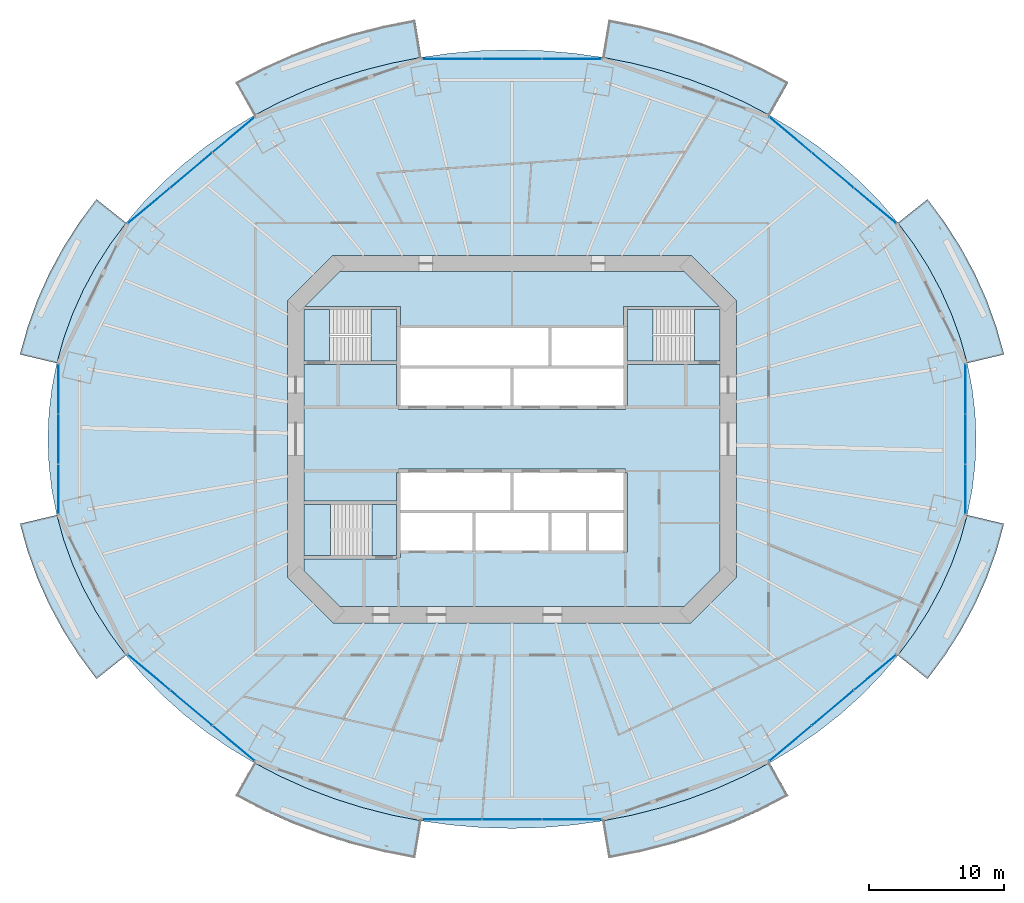
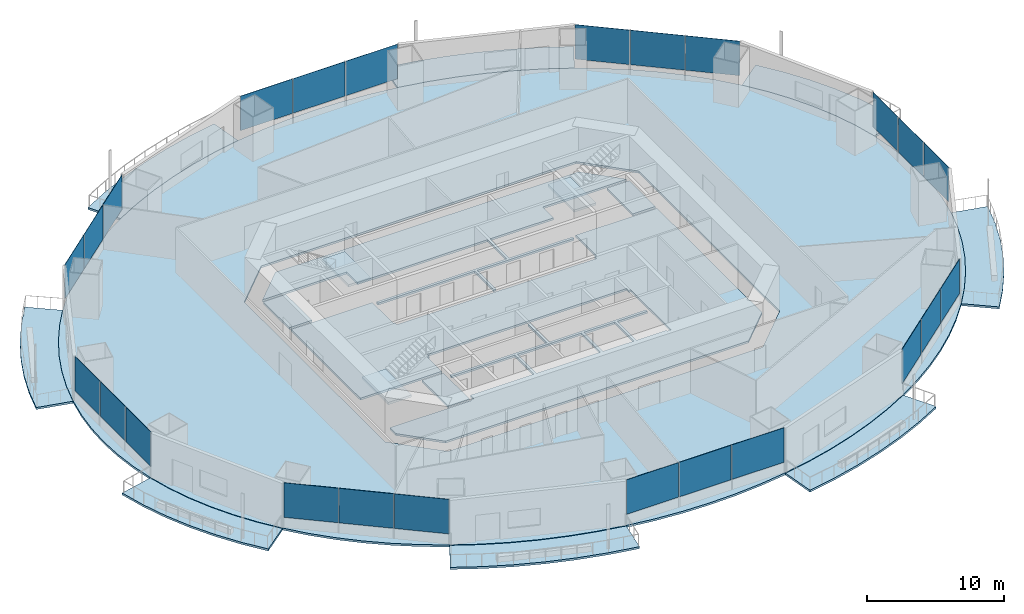
# One storey, part 12 of 22: 24 plates, 17 slabs, 11 elements without a shape of their own.
"""IFC4 building model written with IfcOpenShell, lengths in metres."""

from ifc_helpers import new_model, si_unit, direction, frame, origin, origin_2d, place, context, subcontext, project, spatial, polyline, rectangle, outline, extrude, material, layer, layer_set, type_object, element, aggregate, save


model = new_model("IFC4")

# Units and contexts
model_context = context("Model", 3, precision=1e-05, world=origin(), true_north=direction((0.0, 1.0)))
body_context = subcontext(model_context, "Body", "Model", "MODEL_VIEW")
ifc_project = project(units=[si_unit("LENGTHUNIT", "METRE"), si_unit("AREAUNIT", "SQUARE_METRE"), si_unit("VOLUMEUNIT", "CUBIC_METRE"), si_unit("PLANEANGLEUNIT", "RADIAN"), si_unit("MASSUNIT", "GRAM", prefix="KILO")], contexts=[model_context])

# Site, building, storey
site_placement = place(None, origin())
site = spatial("IfcSite", under=ifc_project, at=site_placement, CompositionType="ELEMENT")
building_placement = place(site_placement, origin())
building = spatial("IfcBuilding", under=site, at=building_placement, Name="Marenthal Gate Tower", CompositionType="ELEMENT")
storey_placement = place(building_placement, frame((0.0, 0.0, 111.85009765625)))
storey = spatial("IfcBuildingStorey", under=building, at=storey_placement, Name="L23", CompositionType="ELEMENT", Elevation=111.85009765625)

# Slabs
ifc_material_1 = material(Name="Concrete 40 MPa", Category="concrete")
ifc_layer_1 = layer(ifc_material_1, 0.179931640625)
ifc_layer_set_1 = layer_set([ifc_layer_1], Name="Balcony deck 180")
slab_type_1 = type_object("IfcSlabType", Name="Balcony deck 180", PredefinedType="USERDEFINED", material=ifc_layer_set_1)
slab_1_placement = place(storey_placement, frame((0.0, 0.0, -0.22021484375)))
element("IfcSlab", 1, at=slab_1_placement, inside=storey, type_object=slab_type_1, Name="Balcony deck L23 bay 1", ObjectType="BALCONY", PredefinedType="USERDEFINED", context=body_context, shape_type="SweptSolid", body=[
    extrude(outline(polyline([(33.68603515625, 5.6201171875), (33.17578125, 7.4560546875), (32.523193359375, 9.260009765625), (31.731689453125, 11.0244140625), (30.803955078125, 12.741455078125), (29.744384765625, 14.404052734375), (28.5576171875, 16.0048828125), (30.747802734375, 17.74951171875), (32.051025390625, 15.99169921875), (33.2177734375, 14.16064453125), (34.2421875, 12.26416015625), (35.118896484375, 10.310302734375), (35.843017578125, 8.30810546875), (36.41064453125, 6.266357421875), (33.68603515625, 5.6201171875)])), origin(), (0.0, 0.0, 1.0), 0.18017578125),
])
slab_2_placement = place(storey_placement, frame((0.0, 0.0, -0.22021484375)))
element("IfcSlab", 2, at=slab_2_placement, inside=storey, type_object=slab_type_1, Name="Balcony deck L23 bay 3", ObjectType="BALCONY", PredefinedType="USERDEFINED", context=body_context, shape_type="SweptSolid", body=[
    extrude(outline(polyline([(19.08154296875, 23.952880859375), (17.173095703125, 24.948486328125), (15.19091796875, 25.837158203125), (13.1435546875, 26.614990234375), (11.040283203125, 27.279296875), (8.889404296875, 27.826416015625), (6.70068359375, 28.25439453125), (7.161376953125, 31.016357421875), (9.50341796875, 30.558349609375), (11.806884765625, 29.97216796875), (14.0625, 29.260009765625), (16.260986328125, 28.424560546875), (18.393310546875, 27.468505859375), (20.450439453125, 26.3955078125), (19.08154296875, 23.952880859375)])), origin(), (0.0, 0.0, 1.0), 0.18017578125),
])
slab_3_placement = place(storey_placement, frame((0.0, 0.0, -0.22021484375)))
element("IfcSlab", 3, at=slab_3_placement, inside=storey, type_object=slab_type_1, Name="Balcony deck L23 bay 5", ObjectType="BALCONY", PredefinedType="USERDEFINED", context=body_context, shape_type="SweptSolid", body=[
    extrude(outline(polyline([(-6.70068359375, 28.25439453125), (-8.889404296875, 27.826416015625), (-11.040283203125, 27.279296875), (-13.1435546875, 26.614990234375), (-15.19091796875, 25.837158203125), (-17.173095703125, 24.948486328125), (-19.08154296875, 23.952880859375), (-20.450439453125, 26.3955078125), (-18.393310546875, 27.468505859375), (-16.260986328125, 28.424560546875), (-14.0625, 29.260009765625), (-11.806884765625, 29.97216796875), (-9.50341796875, 30.558349609375), (-7.161376953125, 31.016357421875), (-6.70068359375, 28.25439453125)])), origin(), (0.0, 0.0, 1.0), 0.18017578125),
])
slab_4_placement = place(storey_placement, frame((0.0, 0.0, -0.22021484375)))
element("IfcSlab", 4, at=slab_4_placement, inside=storey, type_object=slab_type_1, Name="Balcony deck L23 bay 7", ObjectType="BALCONY", PredefinedType="USERDEFINED", context=body_context, shape_type="SweptSolid", body=[
    extrude(outline(polyline([(-28.5576171875, 16.0048828125), (-29.744384765625, 14.404052734375), (-30.803955078125, 12.741455078125), (-31.731689453125, 11.0244140625), (-32.523193359375, 9.260009765625), (-33.17578125, 7.4560546875), (-33.68603515625, 5.6201171875), (-36.41064453125, 6.266357421875), (-35.843017578125, 8.30810546875), (-35.118896484375, 10.310302734375), (-34.2421875, 12.26416015625), (-33.2177734375, 14.16064453125), (-32.051025390625, 15.99169921875), (-30.747802734375, 17.74951171875), (-28.5576171875, 16.0048828125)])), origin(), (0.0, 0.0, 1.0), 0.18017578125),
])
slab_5_placement = place(storey_placement, frame((0.0, 0.0, -0.22021484375)))
element("IfcSlab", 5, at=slab_5_placement, inside=storey, type_object=slab_type_1, Name="Balcony deck L23 bay 9", ObjectType="BALCONY", PredefinedType="USERDEFINED", context=body_context, shape_type="SweptSolid", body=[
    extrude(outline(polyline([(-33.68603515625, -5.6201171875), (-33.17578125, -7.4560546875), (-32.523193359375, -9.260009765625), (-31.731689453125, -11.0244140625), (-30.803955078125, -12.741455078125), (-29.744384765625, -14.404052734375), (-28.5576171875, -16.0048828125), (-30.747802734375, -17.74951171875), (-32.051025390625, -15.99169921875), (-33.2177734375, -14.16064453125), (-34.2421875, -12.26416015625), (-35.118896484375, -10.310302734375), (-35.843017578125, -8.30810546875), (-36.41064453125, -6.266357421875), (-33.68603515625, -5.6201171875)])), origin(), (0.0, 0.0, 1.0), 0.18017578125),
])
slab_6_placement = place(storey_placement, frame((0.0, 0.0, -0.22021484375)))
element("IfcSlab", 6, at=slab_6_placement, inside=storey, type_object=slab_type_1, Name="Balcony deck L23 bay 11", ObjectType="BALCONY", PredefinedType="USERDEFINED", context=body_context, shape_type="SweptSolid", body=[
    extrude(outline(polyline([(-19.08154296875, -23.952880859375), (-17.173095703125, -24.948486328125), (-15.19091796875, -25.837158203125), (-13.1435546875, -26.614990234375), (-11.040283203125, -27.279296875), (-8.889404296875, -27.826416015625), (-6.70068359375, -28.25439453125), (-7.161376953125, -31.016357421875), (-9.50341796875, -30.558349609375), (-11.806884765625, -29.97216796875), (-14.0625, -29.260009765625), (-16.260986328125, -28.424560546875), (-18.393310546875, -27.468505859375), (-20.450439453125, -26.3955078125), (-19.08154296875, -23.952880859375)])), origin(), (0.0, 0.0, 1.0), 0.18017578125),
])
slab_7_placement = place(storey_placement, frame((0.0, 0.0, -0.22021484375)))
element("IfcSlab", 7, at=slab_7_placement, inside=storey, type_object=slab_type_1, Name="Balcony deck L23 bay 13", ObjectType="BALCONY", PredefinedType="USERDEFINED", context=body_context, shape_type="SweptSolid", body=[
    extrude(outline(polyline([(6.70068359375, -28.25439453125), (8.889404296875, -27.826416015625), (11.040283203125, -27.279296875), (13.1435546875, -26.614990234375), (15.19091796875, -25.837158203125), (17.173095703125, -24.948486328125), (19.08154296875, -23.952880859375), (20.450439453125, -26.3955078125), (18.393310546875, -27.468505859375), (16.260986328125, -28.424560546875), (14.0625, -29.260009765625), (11.806884765625, -29.97216796875), (9.50341796875, -30.558349609375), (7.161376953125, -31.016357421875), (6.70068359375, -28.25439453125)])), origin(), (0.0, 0.0, 1.0), 0.18017578125),
])
slab_8_placement = place(storey_placement, frame((0.0, 0.0, -0.22021484375)))
element("IfcSlab", 8, at=slab_8_placement, inside=storey, type_object=slab_type_1, Name="Balcony deck L23 bay 15", ObjectType="BALCONY", PredefinedType="USERDEFINED", context=body_context, shape_type="SweptSolid", body=[
    extrude(outline(polyline([(28.5576171875, -16.0048828125), (29.744384765625, -14.404052734375), (30.803955078125, -12.741455078125), (31.731689453125, -11.0244140625), (32.523193359375, -9.260009765625), (33.17578125, -7.4560546875), (33.68603515625, -5.6201171875), (36.41064453125, -6.266357421875), (35.843017578125, -8.30810546875), (35.118896484375, -10.310302734375), (34.2421875, -12.26416015625), (33.2177734375, -14.16064453125), (32.051025390625, -15.99169921875), (30.747802734375, -17.74951171875), (28.5576171875, -16.0048828125)])), origin(), (0.0, 0.0, 1.0), 0.18017578125),
])
ifc_material_2 = material(Name="Concrete 50 MPa", Category="concrete")
ifc_layer_2 = layer(ifc_material_2, 0.179931640625)
ifc_layer_set_2 = layer_set([ifc_layer_2], Name="Core floor slab 180")
slab_type_2 = type_object("IfcSlabType", Name="Core floor slab 180", PredefinedType="FLOOR", material=ifc_layer_set_2)
slab_9_placement = place(storey_placement, frame((0.0, 0.0, -0.18017578125)))
element("IfcSlab", 9, at=slab_9_placement, inside=storey, type_object=slab_type_2, Name="Core floor L23", PredefinedType="FLOOR", context=body_context, shape_type="SweptSolid", body=[
    extrude(outline(polyline([(15.39990234375, -9.75146484375), (12.75146484375, -12.39990234375), (-12.75146484375, -12.39990234375), (-15.39990234375, -9.75146484375), (-15.39990234375, -8.875), (-8.550048828125, -8.875), (-8.550048828125, -8.75), (-8.25, -8.75), (-8.25, -8.239990234375), (-5.60009765625, -8.239990234375), (-2.909912109375, -8.239990234375), (-2.909912109375, -5.4599609375), (-5.60009765625, -5.4599609375), (-8.25, -5.4599609375), (-8.25, -5.239990234375), (-5.60009765625, -5.239990234375), (-2.800048828125, -5.239990234375), (-0.110107421875, -5.239990234375), (-0.110107421875, -2.5), (0.110107421875, -2.5), (0.110107421875, -5.239990234375), (2.800048828125, -5.239990234375), (5.60009765625, -5.239990234375), (8.25, -5.239990234375), (8.25, -5.4599609375), (5.7099609375, -5.4599609375), (5.7099609375, -8.239990234375), (8.25, -8.239990234375), (8.25, -8.35009765625), (8.550048828125, -8.35009765625), (8.550048828125, -2.5), (8.39990234375, -2.5), (8.39990234375, -2.199951171875), (-8.39990234375, -2.199951171875), (-8.39990234375, -2.5), (-8.550048828125, -2.5), (-8.550048828125, -4.574951171875), (-15.39990234375, -4.574951171875), (-15.39990234375, 5.52490234375), (-8.550048828125, 5.52490234375), (-8.550048828125, 2.5), (-8.39990234375, 2.5), (-8.39990234375, 2.199951171875), (8.39990234375, 2.199951171875), (8.39990234375, 2.5), (8.550048828125, 2.5), (8.550048828125, 5.52490234375), (15.39990234375, 5.52490234375), (15.39990234375, -9.75146484375)]), holes=[polyline([(2.68994140625, -5.4599609375), (0.0, -5.4599609375), (-2.68994140625, -5.4599609375), (-2.68994140625, -8.239990234375), (0.0, -8.239990234375), (2.68994140625, -8.239990234375), (2.68994140625, -5.4599609375)]), polyline([(5.489990234375, -5.4599609375), (2.909912109375, -5.4599609375), (2.909912109375, -8.239990234375), (5.489990234375, -8.239990234375), (5.489990234375, -5.4599609375)])]), origin(), (0.0, 0.0, 1.0), 0.18017578125),
])
slab_10_placement = place(storey_placement, frame((0.0, 0.0, -0.18017578125)))
element("IfcSlab", 10, at=slab_10_placement, inside=storey, type_object=slab_type_2, Name="Core floor L23", PredefinedType="FLOOR", context=body_context, shape_type="SweptSolid", body=[
    extrude(outline(polyline([(15.39990234375, 5.77490234375), (13.5, 5.77490234375), (13.5, 9.574951171875), (15.39990234375, 9.574951171875), (15.39990234375, 5.77490234375)])), origin(), (0.0, 0.0, 1.0), 0.18017578125),
])
slab_11_placement = place(storey_placement, frame((0.0, 0.0, -0.18017578125)))
element("IfcSlab", 11, at=slab_11_placement, inside=storey, type_object=slab_type_2, Name="Core floor L23", PredefinedType="FLOOR", context=body_context, shape_type="SweptSolid", body=[
    extrude(outline(polyline([(12.75146484375, 12.39990234375), (15.326416015625, 9.824951171875), (8.550048828125, 9.824951171875), (8.25, 9.824951171875), (8.25, 8.35009765625), (8.25, 8.239990234375), (5.60009765625, 8.239990234375), (2.909912109375, 8.239990234375), (2.909912109375, 5.4599609375), (5.60009765625, 5.4599609375), (8.25, 5.4599609375), (8.25, 5.239990234375), (5.60009765625, 5.239990234375), (2.800048828125, 5.239990234375), (0.110107421875, 5.239990234375), (0.110107421875, 2.5), (-0.110107421875, 2.5), (-0.110107421875, 5.239990234375), (-2.800048828125, 5.239990234375), (-5.60009765625, 5.239990234375), (-8.25, 5.239990234375), (-8.25, 5.4599609375), (-5.60009765625, 5.4599609375), (-2.800048828125, 5.4599609375), (0.0, 5.4599609375), (2.68994140625, 5.4599609375), (2.68994140625, 8.239990234375), (0.0, 8.239990234375), (-2.800048828125, 8.239990234375), (-5.60009765625, 8.239990234375), (-8.25, 8.239990234375), (-8.25, 8.35009765625), (-8.25, 9.824951171875), (-8.550048828125, 9.824951171875), (-15.326416015625, 9.824951171875), (-12.75146484375, 12.39990234375), (12.75146484375, 12.39990234375)])), origin(), (0.0, 0.0, 1.0), 0.18017578125),
])
slab_12_placement = place(storey_placement, frame((0.0, 0.0, -0.18017578125)))
element("IfcSlab", 12, at=slab_12_placement, inside=storey, type_object=slab_type_2, Name="Core floor L23", PredefinedType="FLOOR", context=body_context, shape_type="SweptSolid", body=[
    extrude(outline(polyline([(-15.39990234375, 9.574951171875), (-13.5, 9.574951171875), (-13.5, 5.77490234375), (-15.39990234375, 5.77490234375), (-15.39990234375, 9.574951171875)])), origin(), (0.0, 0.0, 1.0), 0.18017578125),
])
slab_13_placement = place(storey_placement, frame((0.0, 0.0, -0.18017578125)))
element("IfcSlab", 13, at=slab_13_placement, inside=storey, type_object=slab_type_2, Name="Core floor L23", PredefinedType="FLOOR", context=body_context, shape_type="SweptSolid", body=[
    extrude(outline(polyline([(-8.550048828125, -8.625), (-10.35009765625, -8.625), (-10.35009765625, -4.824951171875), (-8.550048828125, -4.824951171875), (-8.550048828125, -8.625)])), origin(), (0.0, 0.0, 1.0), 0.18017578125),
])
ifc_material_3 = material(Name="Concrete 35 MPa", Category="concrete")
ifc_layer_3 = layer(ifc_material_3, 0.179931640625)
ifc_layer_set_3 = layer_set([ifc_layer_3], Name="Floor slab 180")
slab_type_3 = type_object("IfcSlabType", Name="Floor slab 180", PredefinedType="FLOOR", material=ifc_layer_set_3)
slab_14_placement = place(storey_placement, frame((0.0, 0.0, -0.18017578125)))
element("IfcSlab", 14, at=slab_14_placement, inside=storey, type_object=slab_type_3, Name="SL-L23-01", PredefinedType="FLOOR", context=body_context, shape_type="SweptSolid", body=[
    extrude(outline(polyline([(34.345947265625, 0.0), (34.2724609375, 1.884033203125), (34.05224609375, 3.76025390625), (33.68603515625, 5.6201171875), (33.17578125, 7.4560546875), (32.523193359375, 9.260009765625), (31.731689453125, 11.0244140625), (30.803955078125, 12.741455078125), (29.744384765625, 14.404052734375), (28.5576171875, 16.0048828125), (27.24853515625, 17.537109375), (25.82275390625, 18.994384765625), (24.286376953125, 20.370361328125), (22.64599609375, 21.658935546875), (20.908447265625, 22.85498046875), (19.08154296875, 23.952880859375), (17.173095703125, 24.948486328125), (15.19091796875, 25.837158203125), (13.1435546875, 26.614990234375), (11.040283203125, 27.279296875), (8.889404296875, 27.826416015625), (6.70068359375, 28.25439453125), (4.483154296875, 28.5615234375), (2.246337890625, 28.746337890625), (0.0, 28.80810546875), (-2.246337890625, 28.746337890625), (-4.483154296875, 28.5615234375), (-6.70068359375, 28.25439453125), (-8.889404296875, 27.826416015625), (-11.040283203125, 27.279296875), (-13.1435546875, 26.614990234375), (-15.19091796875, 25.837158203125), (-17.173095703125, 24.948486328125), (-19.08154296875, 23.952880859375), (-20.908447265625, 22.85498046875), (-22.64599609375, 21.658935546875), (-24.286376953125, 20.370361328125), (-25.82275390625, 18.994384765625), (-27.24853515625, 17.537109375), (-28.5576171875, 16.0048828125), (-29.744384765625, 14.404052734375), (-30.803955078125, 12.741455078125), (-31.731689453125, 11.0244140625), (-32.523193359375, 9.260009765625), (-33.17578125, 7.4560546875), (-33.68603515625, 5.6201171875), (-34.05224609375, 3.76025390625), (-34.2724609375, 1.884033203125), (-34.345947265625, 0.0), (-34.2724609375, -1.884033203125), (-34.05224609375, -3.76025390625), (-33.68603515625, -5.6201171875), (-33.17578125, -7.4560546875), (-32.523193359375, -9.260009765625), (-31.731689453125, -11.0244140625), (-30.803955078125, -12.741455078125), (-29.744384765625, -14.404052734375), (-28.5576171875, -16.0048828125), (-27.24853515625, -17.537109375), (-25.82275390625, -18.994384765625), (-24.286376953125, -20.370361328125), (-22.64599609375, -21.658935546875), (-20.908447265625, -22.85498046875), (-19.08154296875, -23.952880859375), (-17.173095703125, -24.948486328125), (-15.19091796875, -25.837158203125), (-13.1435546875, -26.614990234375), (-11.040283203125, -27.279296875), (-8.889404296875, -27.826416015625), (-6.70068359375, -28.25439453125), (-4.483154296875, -28.5615234375), (-2.246337890625, -28.746337890625), (0.0, -28.80810546875), (2.246337890625, -28.746337890625), (4.483154296875, -28.5615234375), (6.70068359375, -28.25439453125), (8.889404296875, -27.826416015625), (11.040283203125, -27.279296875), (13.1435546875, -26.614990234375), (15.19091796875, -25.837158203125), (17.173095703125, -24.948486328125), (19.08154296875, -23.952880859375), (20.908447265625, -22.85498046875), (22.64599609375, -21.658935546875), (24.286376953125, -20.370361328125), (25.82275390625, -18.994384765625), (27.24853515625, -17.537109375), (28.5576171875, -16.0048828125), (29.744384765625, -14.404052734375), (30.803955078125, -12.741455078125), (31.731689453125, -11.0244140625), (32.523193359375, -9.260009765625), (33.17578125, -7.4560546875), (33.68603515625, -5.6201171875), (34.05224609375, -3.76025390625), (34.2724609375, -1.884033203125), (34.345947265625, 0.0)]), holes=[polyline([(13.24853515625, -13.60009765625), (16.60009765625, -10.24853515625), (16.60009765625, 10.24853515625), (13.24853515625, 13.60009765625), (-13.24853515625, 13.60009765625), (-16.60009765625, 10.24853515625), (-16.60009765625, -10.24853515625), (-13.24853515625, -13.60009765625), (13.24853515625, -13.60009765625)])]), origin(), (0.0, 0.0, 1.0), 0.18017578125),
])

# Curtain wall, plates
ifc_material_4 = material(Name="Aluminium and glass", Category="aluminium")
curtain_wall_type = type_object("IfcCurtainWallType", Name="Curtain wall typical low", PredefinedType="NOTDEFINED", material=ifc_material_4)
curtain_wall_1_placement = place(storey_placement, origin())
curtain_wall_1 = element("IfcCurtainWall", 15, at=curtain_wall_1_placement, inside=storey, type_object=curtain_wall_type, Name="Curtain wall L23 bay 2", PredefinedType="NOTDEFINED")
ifc_material_5 = material(Name="Glass, laminated insulating unit", Category="glass")
ifc_layer_4 = layer(ifc_material_5, 0.030029296875)
ifc_layer_set_4 = layer_set([ifc_layer_4], Name="Glass panel 30 typical low")
plate_type = type_object("IfcPlateType", Name="Glass panel 30 typical low", PredefinedType="CURTAIN_PANEL", material=ifc_layer_set_4)
plate_1_placement = place(storey_placement, frame((26.86865234375, 17.270263671875, 0.89990234375), z_axis=(0.0, 0.0, 1.0), x_axis=(-0.766388728972, 0.642377082487, 0.0)))
plate_1 = element("IfcPlate", 16, at=plate_1_placement, type_object=plate_type, Name="Glass panel L23 bay 2.1", PredefinedType="CURTAIN_PANEL", context=body_context, shape_type="SweptSolid", body=[
    extrude(rectangle(XDim=4.027099609375, YDim=0.030029296875, at=origin_2d()), origin(), (0.0, 0.0, 1.0), 3.070068359375),
])
plate_2_placement = place(storey_placement, frame((23.736328125, 19.895751953125, 0.89990234375), z_axis=(0.0, 0.0, 1.0), x_axis=(-0.766388728972, 0.642377082487, 0.0)))
plate_2 = element("IfcPlate", 17, at=plate_2_placement, type_object=plate_type, Name="Glass panel L23 bay 2.2", PredefinedType="CURTAIN_PANEL", context=body_context, shape_type="SweptSolid", body=[
    extrude(rectangle(XDim=4.027099609375, YDim=0.030029296875, at=origin_2d()), origin(), (0.0, 0.0, 1.0), 3.070068359375),
])
plate_3_placement = place(storey_placement, frame((20.60400390625, 22.521240234375, 0.89990234375), z_axis=(0.0, 0.0, 1.0), x_axis=(-0.766388728972, 0.642377082487, 0.0)))
plate_3 = element("IfcPlate", 18, at=plate_3_placement, type_object=plate_type, Name="Glass panel L23 bay 2.3", PredefinedType="CURTAIN_PANEL", context=body_context, shape_type="SweptSolid", body=[
    extrude(rectangle(XDim=4.027099609375, YDim=0.030029296875, at=origin_2d()), origin(), (0.0, 0.0, 1.0), 3.070068359375),
])
aggregate(curtain_wall_1, [plate_1, plate_2, plate_3])

curtain_wall_2_placement = place(storey_placement, origin())
curtain_wall_2 = element("IfcCurtainWall", 19, at=curtain_wall_2_placement, inside=storey, type_object=curtain_wall_type, Name="Curtain wall L23 bay 4", PredefinedType="NOTDEFINED")
plate_4_placement = place(storey_placement, frame((4.431396484375, 28.13671875, 0.89990234375), z_axis=(0.0, 0.0, 1.0), x_axis=(-1.0, 0.0, 0.0)))
plate_4 = element("IfcPlate", 20, at=plate_4_placement, type_object=plate_type, Name="Glass panel L23 bay 4.1", PredefinedType="CURTAIN_PANEL", context=body_context, shape_type="SweptSolid", body=[
    extrude(rectangle(XDim=4.37158203125, YDim=0.030029296875, at=origin_2d()), origin(), (0.0, 0.0, 1.0), 3.070068359375),
])
plate_5_placement = place(storey_placement, frame((0.0, 28.13671875, 0.89990234375), z_axis=(0.0, 0.0, 1.0), x_axis=(-1.0, 0.0, 0.0)))
plate_5 = element("IfcPlate", 21, at=plate_5_placement, type_object=plate_type, Name="Glass panel L23 bay 4.2", PredefinedType="CURTAIN_PANEL", context=body_context, shape_type="SweptSolid", body=[
    extrude(rectangle(XDim=4.371337890625, YDim=0.030029296875, at=origin_2d()), origin(), (0.0, 0.0, 1.0), 3.070068359375),
])
plate_6_placement = place(storey_placement, frame((-4.431396484375, 28.13671875, 0.89990234375), z_axis=(0.0, 0.0, 1.0), x_axis=(-1.0, 0.0, 0.0)))
plate_6 = element("IfcPlate", 22, at=plate_6_placement, type_object=plate_type, Name="Glass panel L23 bay 4.3", PredefinedType="CURTAIN_PANEL", context=body_context, shape_type="SweptSolid", body=[
    extrude(rectangle(XDim=4.37158203125, YDim=0.030029296875, at=origin_2d()), origin(), (0.0, 0.0, 1.0), 3.070068359375),
])
aggregate(curtain_wall_2, [plate_4, plate_5, plate_6])

curtain_wall_3_placement = place(storey_placement, origin())
curtain_wall_3 = element("IfcCurtainWall", 23, at=curtain_wall_3_placement, inside=storey, type_object=curtain_wall_type, Name="Curtain wall L23 bay 6", PredefinedType="NOTDEFINED")
plate_7_placement = place(storey_placement, frame((-20.60400390625, 22.521240234375, 0.89990234375), z_axis=(0.0, 0.0, 1.0), x_axis=(-0.766388728972, -0.642377082487, 0.0)))
plate_7 = element("IfcPlate", 24, at=plate_7_placement, type_object=plate_type, Name="Glass panel L23 bay 6.1", PredefinedType="CURTAIN_PANEL", context=body_context, shape_type="SweptSolid", body=[
    extrude(rectangle(XDim=4.027099609375, YDim=0.030029296875, at=origin_2d()), origin(), (0.0, 0.0, 1.0), 3.070068359375),
])
plate_8_placement = place(storey_placement, frame((-23.736328125, 19.895751953125, 0.89990234375), z_axis=(0.0, 0.0, 1.0), x_axis=(-0.766388728972, -0.642377082487, 0.0)))
plate_8 = element("IfcPlate", 25, at=plate_8_placement, type_object=plate_type, Name="Glass panel L23 bay 6.2", PredefinedType="CURTAIN_PANEL", context=body_context, shape_type="SweptSolid", body=[
    extrude(rectangle(XDim=4.027099609375, YDim=0.030029296875, at=origin_2d()), origin(), (0.0, 0.0, 1.0), 3.070068359375),
])
plate_9_placement = place(storey_placement, frame((-26.86865234375, 17.270263671875, 0.89990234375), z_axis=(0.0, 0.0, 1.0), x_axis=(-0.766388728972, -0.642377082487, 0.0)))
plate_9 = element("IfcPlate", 26, at=plate_9_placement, type_object=plate_type, Name="Glass panel L23 bay 6.3", PredefinedType="CURTAIN_PANEL", context=body_context, shape_type="SweptSolid", body=[
    extrude(rectangle(XDim=4.027099609375, YDim=0.030029296875, at=origin_2d()), origin(), (0.0, 0.0, 1.0), 3.070068359375),
])
aggregate(curtain_wall_3, [plate_7, plate_8, plate_9])

curtain_wall_4_placement = place(storey_placement, origin())
curtain_wall_4 = element("IfcCurtainWall", 27, at=curtain_wall_4_placement, inside=storey, type_object=curtain_wall_type, Name="Curtain wall L23 bay 8", PredefinedType="NOTDEFINED")
plate_10_placement = place(storey_placement, frame((-33.568359375, 3.711181640625, 0.89990234375), z_axis=(0.0, 0.0, 1.0), x_axis=(0.0, -1.0, 0.0)))
plate_10 = element("IfcPlate", 28, at=plate_10_placement, type_object=plate_type, Name="Glass panel L23 bay 8.1", PredefinedType="CURTAIN_PANEL", context=body_context, shape_type="SweptSolid", body=[
    extrude(rectangle(XDim=3.651123046875, YDim=0.030029296875, at=origin_2d()), origin(), (0.0, 0.0, 1.0), 3.070068359375),
])
plate_11_placement = place(storey_placement, frame((-33.568359375, 0.0, 0.89990234375), z_axis=(0.0, 0.0, 1.0), x_axis=(0.0, -1.0, 0.0)))
plate_11 = element("IfcPlate", 29, at=plate_11_placement, type_object=plate_type, Name="Glass panel L23 bay 8.2", PredefinedType="CURTAIN_PANEL", context=body_context, shape_type="SweptSolid", body=[
    extrude(rectangle(XDim=3.651123046875, YDim=0.030029296875, at=origin_2d()), origin(), (0.0, 0.0, 1.0), 3.070068359375),
])
plate_12_placement = place(storey_placement, frame((-33.568359375, -3.711181640625, 0.89990234375), z_axis=(0.0, 0.0, 1.0), x_axis=(0.0, -1.0, 0.0)))
plate_12 = element("IfcPlate", 30, at=plate_12_placement, type_object=plate_type, Name="Glass panel L23 bay 8.3", PredefinedType="CURTAIN_PANEL", context=body_context, shape_type="SweptSolid", body=[
    extrude(rectangle(XDim=3.651123046875, YDim=0.030029296875, at=origin_2d()), origin(), (0.0, 0.0, 1.0), 3.070068359375),
])
aggregate(curtain_wall_4, [plate_10, plate_11, plate_12])

curtain_wall_5_placement = place(storey_placement, origin())
curtain_wall_5 = element("IfcCurtainWall", 31, at=curtain_wall_5_placement, inside=storey, type_object=curtain_wall_type, Name="Curtain wall L23 bay 10", PredefinedType="NOTDEFINED")
plate_13_placement = place(storey_placement, frame((-26.86865234375, -17.270263671875, 0.89990234375), z_axis=(0.0, 0.0, 1.0), x_axis=(0.766388728972, -0.642377082487, 0.0)))
plate_13 = element("IfcPlate", 32, at=plate_13_placement, type_object=plate_type, Name="Glass panel L23 bay 10.1", PredefinedType="CURTAIN_PANEL", context=body_context, shape_type="SweptSolid", body=[
    extrude(rectangle(XDim=4.027099609375, YDim=0.030029296875, at=origin_2d()), origin(), (0.0, 0.0, 1.0), 3.070068359375),
])
plate_14_placement = place(storey_placement, frame((-23.736328125, -19.895751953125, 0.89990234375), z_axis=(0.0, 0.0, 1.0), x_axis=(0.766388728972, -0.642377082487, 0.0)))
plate_14 = element("IfcPlate", 33, at=plate_14_placement, type_object=plate_type, Name="Glass panel L23 bay 10.2", PredefinedType="CURTAIN_PANEL", context=body_context, shape_type="SweptSolid", body=[
    extrude(rectangle(XDim=4.027099609375, YDim=0.030029296875, at=origin_2d()), origin(), (0.0, 0.0, 1.0), 3.070068359375),
])
plate_15_placement = place(storey_placement, frame((-20.60400390625, -22.521240234375, 0.89990234375), z_axis=(0.0, 0.0, 1.0), x_axis=(0.766388728972, -0.642377082487, 0.0)))
plate_15 = element("IfcPlate", 34, at=plate_15_placement, type_object=plate_type, Name="Glass panel L23 bay 10.3", PredefinedType="CURTAIN_PANEL", context=body_context, shape_type="SweptSolid", body=[
    extrude(rectangle(XDim=4.027099609375, YDim=0.030029296875, at=origin_2d()), origin(), (0.0, 0.0, 1.0), 3.070068359375),
])
aggregate(curtain_wall_5, [plate_13, plate_14, plate_15])

curtain_wall_6_placement = place(storey_placement, origin())
curtain_wall_6 = element("IfcCurtainWall", 35, at=curtain_wall_6_placement, inside=storey, type_object=curtain_wall_type, Name="Curtain wall L23 bay 12", PredefinedType="NOTDEFINED")
plate_16_placement = place(storey_placement, frame((-4.431396484375, -28.13671875, 0.89990234375), z_axis=(0.0, 0.0, 1.0), x_axis=(1.0, 0.0, 0.0)))
plate_16 = element("IfcPlate", 36, at=plate_16_placement, type_object=plate_type, Name="Glass panel L23 bay 12.1", PredefinedType="CURTAIN_PANEL", context=body_context, shape_type="SweptSolid", body=[
    extrude(rectangle(XDim=4.37158203125, YDim=0.030029296875, at=origin_2d()), origin(), (0.0, 0.0, 1.0), 3.070068359375),
])
plate_17_placement = place(storey_placement, frame((0.0, -28.13671875, 0.89990234375), z_axis=(0.0, 0.0, 1.0), x_axis=(1.0, 0.0, 0.0)))
plate_17 = element("IfcPlate", 37, at=plate_17_placement, type_object=plate_type, Name="Glass panel L23 bay 12.2", PredefinedType="CURTAIN_PANEL", context=body_context, shape_type="SweptSolid", body=[
    extrude(rectangle(XDim=4.371337890625, YDim=0.030029296875, at=origin_2d()), origin(), (0.0, 0.0, 1.0), 3.070068359375),
])
plate_18_placement = place(storey_placement, frame((4.431396484375, -28.13671875, 0.89990234375), z_axis=(0.0, 0.0, 1.0), x_axis=(1.0, 0.0, 0.0)))
plate_18 = element("IfcPlate", 38, at=plate_18_placement, type_object=plate_type, Name="Glass panel L23 bay 12.3", PredefinedType="CURTAIN_PANEL", context=body_context, shape_type="SweptSolid", body=[
    extrude(rectangle(XDim=4.37158203125, YDim=0.030029296875, at=origin_2d()), origin(), (0.0, 0.0, 1.0), 3.070068359375),
])
aggregate(curtain_wall_6, [plate_16, plate_17, plate_18])

curtain_wall_7_placement = place(storey_placement, origin())
curtain_wall_7 = element("IfcCurtainWall", 39, at=curtain_wall_7_placement, inside=storey, type_object=curtain_wall_type, Name="Curtain wall L23 bay 14", PredefinedType="NOTDEFINED")
plate_19_placement = place(storey_placement, frame((20.60400390625, -22.521240234375, 0.89990234375), z_axis=(0.0, 0.0, 1.0), x_axis=(0.766388728972, 0.642377082487, 0.0)))
plate_19 = element("IfcPlate", 40, at=plate_19_placement, type_object=plate_type, Name="Glass panel L23 bay 14.1", PredefinedType="CURTAIN_PANEL", context=body_context, shape_type="SweptSolid", body=[
    extrude(rectangle(XDim=4.027099609375, YDim=0.030029296875, at=origin_2d()), origin(), (0.0, 0.0, 1.0), 3.070068359375),
])
plate_20_placement = place(storey_placement, frame((23.736328125, -19.895751953125, 0.89990234375), z_axis=(0.0, 0.0, 1.0), x_axis=(0.766388728972, 0.642377082487, 0.0)))
plate_20 = element("IfcPlate", 41, at=plate_20_placement, type_object=plate_type, Name="Glass panel L23 bay 14.2", PredefinedType="CURTAIN_PANEL", context=body_context, shape_type="SweptSolid", body=[
    extrude(rectangle(XDim=4.027099609375, YDim=0.030029296875, at=origin_2d()), origin(), (0.0, 0.0, 1.0), 3.070068359375),
])
plate_21_placement = place(storey_placement, frame((26.86865234375, -17.270263671875, 0.89990234375), z_axis=(0.0, 0.0, 1.0), x_axis=(0.766388728972, 0.642377082487, 0.0)))
plate_21 = element("IfcPlate", 42, at=plate_21_placement, type_object=plate_type, Name="Glass panel L23 bay 14.3", PredefinedType="CURTAIN_PANEL", context=body_context, shape_type="SweptSolid", body=[
    extrude(rectangle(XDim=4.027099609375, YDim=0.030029296875, at=origin_2d()), origin(), (0.0, 0.0, 1.0), 3.070068359375),
])
aggregate(curtain_wall_7, [plate_19, plate_20, plate_21])

curtain_wall_8_placement = place(storey_placement, origin())
curtain_wall_8 = element("IfcCurtainWall", 43, at=curtain_wall_8_placement, inside=storey, type_object=curtain_wall_type, Name="Curtain wall L23 bay 16", PredefinedType="NOTDEFINED")
plate_22_placement = place(storey_placement, frame((33.568359375, -3.711181640625, 0.89990234375), z_axis=(0.0, 0.0, 1.0), x_axis=(0.0, 1.0, 0.0)))
plate_22 = element("IfcPlate", 44, at=plate_22_placement, type_object=plate_type, Name="Glass panel L23 bay 16.1", PredefinedType="CURTAIN_PANEL", context=body_context, shape_type="SweptSolid", body=[
    extrude(rectangle(XDim=3.651123046875, YDim=0.030029296875, at=origin_2d()), origin(), (0.0, 0.0, 1.0), 3.070068359375),
])
plate_23_placement = place(storey_placement, frame((33.568359375, 0.0, 0.89990234375), z_axis=(0.0, 0.0, 1.0), x_axis=(0.0, 1.0, 0.0)))
plate_23 = element("IfcPlate", 45, at=plate_23_placement, type_object=plate_type, Name="Glass panel L23 bay 16.2", PredefinedType="CURTAIN_PANEL", context=body_context, shape_type="SweptSolid", body=[
    extrude(rectangle(XDim=3.651123046875, YDim=0.030029296875, at=origin_2d()), origin(), (0.0, 0.0, 1.0), 3.070068359375),
])
plate_24_placement = place(storey_placement, frame((33.568359375, 3.711181640625, 0.89990234375), z_axis=(0.0, 0.0, 1.0), x_axis=(0.0, 1.0, 0.0)))
plate_24 = element("IfcPlate", 46, at=plate_24_placement, type_object=plate_type, Name="Glass panel L23 bay 16.3", PredefinedType="CURTAIN_PANEL", context=body_context, shape_type="SweptSolid", body=[
    extrude(rectangle(XDim=3.651123046875, YDim=0.030029296875, at=origin_2d()), origin(), (0.0, 0.0, 1.0), 3.070068359375),
])
aggregate(curtain_wall_8, [plate_22, plate_23, plate_24])

# Stair, slab
ifc_material_6 = material(Name="Concrete 40 MPa", Category="concrete")
stair_type = type_object("IfcStairType", Name="Exit stair 1800", PredefinedType="HALF_TURN_STAIR", material=ifc_material_6)
stair_1_placement = place(storey_placement, origin())
stair_1 = element("IfcStair", 47, at=stair_1_placement, inside=storey, type_object=stair_type, Name="Stair ST1", PredefinedType="HALF_TURN_STAIR")
ifc_material_7 = material(Name="Concrete 40 MPa", Category="concrete")
ifc_layer_5 = layer(ifc_material_7, 0.199951171875)
ifc_layer_set_5 = layer_set([ifc_layer_5], Name="Stair landing 200")
slab_type_4 = type_object("IfcSlabType", Name="Stair landing 200", PredefinedType="LANDING", material=ifc_layer_set_5)
slab_15_placement = place(storey_placement, frame((0.0, 0.0, 1.875)))
slab_15 = element("IfcSlab", 48, at=slab_15_placement, type_object=slab_type_4, Name="ST1 landing 1", PredefinedType="LANDING", context=body_context, shape_type="SweptSolid", body=[
    extrude(outline(polyline([(-10.419921875, 5.77490234375), (-8.550048828125, 5.77490234375), (-8.550048828125, 9.574951171875), (-10.419921875, 9.574951171875), (-10.419921875, 5.77490234375)])), origin(), (0.0, 0.0, 1.0), 0.199951171875),
])
aggregate(stair_1, [slab_15])

stair_2_placement = place(storey_placement, origin())
stair_2 = element("IfcStair", 49, at=stair_2_placement, inside=storey, type_object=stair_type, Name="Stair ST2", PredefinedType="HALF_TURN_STAIR")
slab_16_placement = place(storey_placement, frame((0.0, 0.0, 1.875)))
slab_16 = element("IfcSlab", 50, at=slab_16_placement, type_object=slab_type_4, Name="ST2 landing 1", PredefinedType="LANDING", context=body_context, shape_type="SweptSolid", body=[
    extrude(outline(polyline([(-15.39990234375, -8.625), (-13.429931640625, -8.625), (-13.429931640625, -4.824951171875), (-15.39990234375, -4.824951171875), (-15.39990234375, -8.625)])), origin(), (0.0, 0.0, 1.0), 0.199951171875),
])
aggregate(stair_2, [slab_16])

stair_3_placement = place(storey_placement, origin())
stair_3 = element("IfcStair", 51, at=stair_3_placement, inside=storey, type_object=stair_type, Name="Stair ST3", PredefinedType="HALF_TURN_STAIR")
slab_17_placement = place(storey_placement, frame((0.0, 0.0, 1.875)))
slab_17 = element("IfcSlab", 52, at=slab_17_placement, type_object=slab_type_4, Name="ST3 landing 1", PredefinedType="LANDING", context=body_context, shape_type="SweptSolid", body=[
    extrude(outline(polyline([(8.550048828125, 5.77490234375), (10.419921875, 5.77490234375), (10.419921875, 9.574951171875), (8.550048828125, 9.574951171875), (8.550048828125, 5.77490234375)])), origin(), (0.0, 0.0, 1.0), 0.199951171875),
])
aggregate(stair_3, [slab_17])

save(model, "model.ifc")
